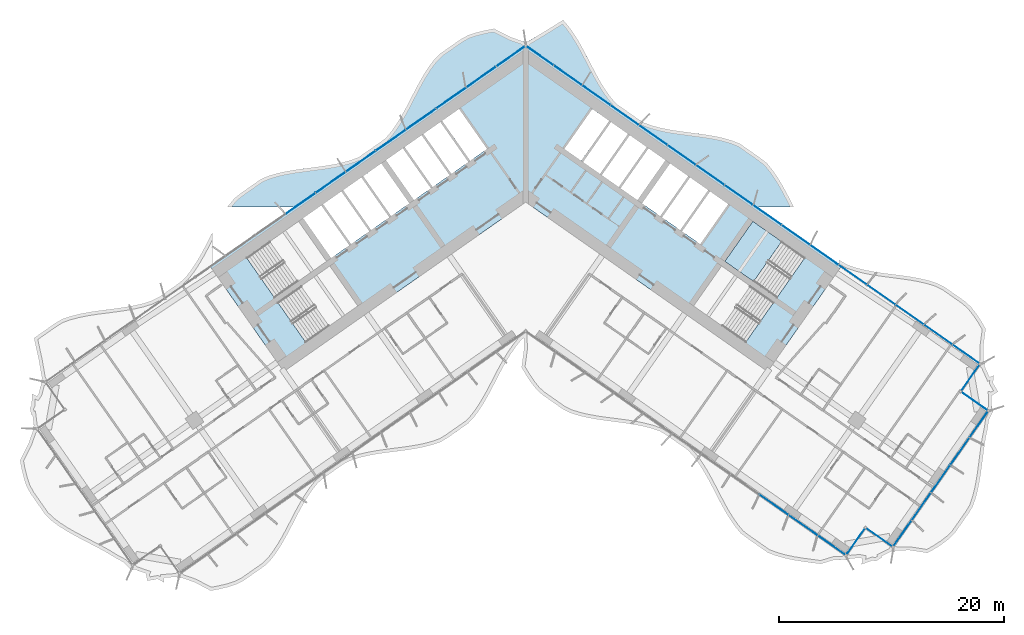
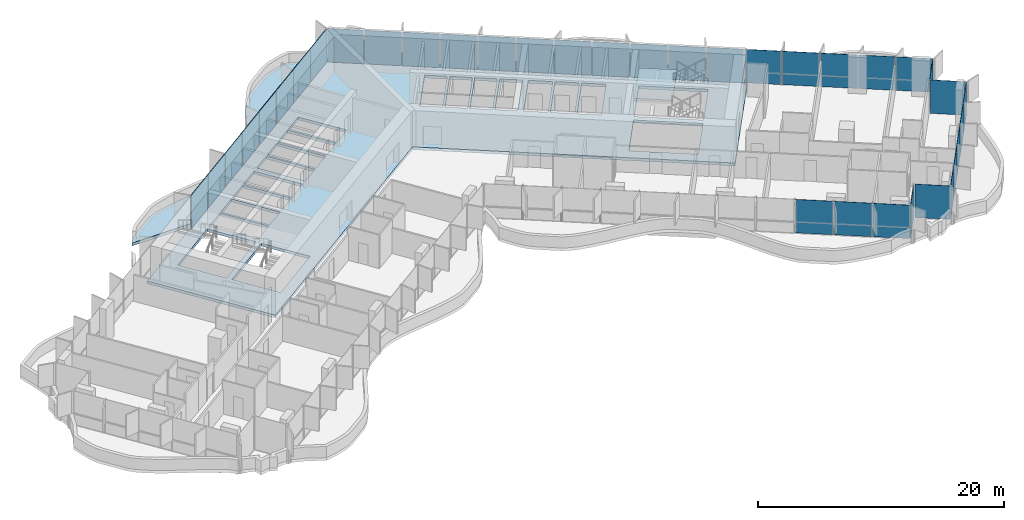
# One storey, part 11 of 23: 36 plates, 3 slabs, 3 elements without a shape of their own.
"""IFC4 building model written with IfcOpenShell, lengths in metres."""

from ifc_helpers import new_model, si_unit, direction, frame, origin, origin_2d, place, context, subcontext, project, spatial, polyline, rectangle, outline, extrude, material, layer, layer_set, type_object, element, aggregate, save


model = new_model("IFC4")

# Units and contexts
model_context = context("Model", 3, precision=1e-05, world=origin(), true_north=direction((0.0, 1.0)))
body_context = subcontext(model_context, "Body", "Model", "MODEL_VIEW")
ifc_project = project(units=[si_unit("LENGTHUNIT", "METRE"), si_unit("AREAUNIT", "SQUARE_METRE"), si_unit("VOLUMEUNIT", "CUBIC_METRE"), si_unit("PLANEANGLEUNIT", "RADIAN"), si_unit("MASSUNIT", "GRAM", prefix="KILO")], contexts=[model_context])

# Site, building, storey
site_placement = place(None, origin())
site = spatial("IfcSite", under=ifc_project, at=site_placement, CompositionType="ELEMENT")
building_placement = place(site_placement, origin())
building = spatial("IfcBuilding", under=site, at=building_placement, Name="Tel Ilan Convention Tower", CompositionType="ELEMENT")
storey_placement = place(building_placement, frame((0.0, 0.0, 79.699951171875)))
storey = spatial("IfcBuildingStorey", under=building, at=storey_placement, Name="L15", CompositionType="ELEMENT", Elevation=79.699951171875)

# Curtain wall, plates
ifc_material_1 = material(Name="Aluminium, bronze anodised", Category="aluminium")
curtain_wall_type_1 = type_object("IfcCurtainWallType", Name="CW1 UNITISED CURTAIN WALL, HOTEL TINTED GLASS", PredefinedType="NOTDEFINED", material=ifc_material_1)
curtain_wall_1_placement = place(storey_placement, origin())
curtain_wall_1 = element("IfcCurtainWall", 1, at=curtain_wall_1_placement, inside=storey, type_object=curtain_wall_type_1, Name="Curtain wall CW1-15.02", PredefinedType="NOTDEFINED")
ifc_material_2 = material(Name="Glass, bronze tinted, two-ply unitised", Category="glass")
ifc_layer_1 = layer(ifc_material_2, 0.028076171875)
ifc_layer_set_1 = layer_set([ifc_layer_1], Name="CW HOTEL GLASS PANEL 28")
plate_type_1 = type_object("IfcPlateType", Name="CW HOTEL GLASS PANEL 28", PredefinedType="CURTAIN_PANEL", material=ifc_layer_set_1)
plate_1_placement = place(storey_placement, frame((22.115478515625, -28.181396484375, 0.0), z_axis=(0.0, 0.0, 1.0), x_axis=(0.819152044289, -0.573576436351, 0.0)))
plate_1 = element("IfcPlate", 2, at=plate_1_placement, type_object=plate_type_1, Name="Glass panel", PredefinedType="CURTAIN_PANEL", context=body_context, shape_type="SweptSolid", body=[
    extrude(rectangle(XDim=3.10791015625, YDim=0.028076171875, at=origin_2d()), origin(), (0.0, 0.0, 1.0), 3.320068359375),
])
plate_2_placement = place(storey_placement, frame((24.71044921875, -29.99853515625, 0.0), z_axis=(0.0, 0.0, 1.0), x_axis=(0.819152044289, -0.573576436351, 0.0)))
plate_2 = element("IfcPlate", 3, at=plate_2_placement, type_object=plate_type_1, Name="Glass panel", PredefinedType="CURTAIN_PANEL", context=body_context, shape_type="SweptSolid", body=[
    extrude(rectangle(XDim=3.10791015625, YDim=0.028076171875, at=origin_2d()), origin(), (0.0, 0.0, 1.0), 3.320068359375),
])
plate_3_placement = place(storey_placement, frame((27.26708984375, -31.78857421875, 0.0), z_axis=(0.0, 0.0, 1.0), x_axis=(0.819152044289, -0.573576436351, 0.0)))
plate_3 = element("IfcPlate", 4, at=plate_3_placement, type_object=plate_type_1, Name="Glass panel", PredefinedType="CURTAIN_PANEL", context=body_context, shape_type="SweptSolid", body=[
    extrude(rectangle(XDim=3.013916015625, YDim=0.028076171875, at=origin_2d()), origin(), (0.0, 0.0, 1.0), 3.320068359375),
])
plate_4_placement = place(storey_placement, frame((29.359375, -31.469482421875, 0.0), z_axis=(0.0, 0.0, 1.0), x_axis=(0.573576436351, 0.819152044289, 0.0)))
plate_4 = element("IfcPlate", 5, at=plate_4_placement, type_object=plate_type_1, Name="Glass panel", PredefinedType="CURTAIN_PANEL", context=body_context, shape_type="SweptSolid", body=[
    extrude(rectangle(XDim=2.875, YDim=0.028076171875, at=origin_2d()), origin(), (0.0, 0.0, 1.0), 3.320068359375),
])
plate_5_placement = place(storey_placement, frame((31.502197265625, -31.091796875, 0.0), z_axis=(0.0, 0.0, 1.0), x_axis=(0.819152044289, -0.573576436351, 0.0)))
plate_5 = element("IfcPlate", 6, at=plate_5_placement, type_object=plate_type_1, Name="Glass panel", PredefinedType="CURTAIN_PANEL", context=body_context, shape_type="SweptSolid", body=[
    extrude(rectangle(XDim=2.875, YDim=0.028076171875, at=origin_2d()), origin(), (0.0, 0.0, 1.0), 3.320068359375),
])
plate_6_placement = place(storey_placement, frame((33.529296875, -30.74462890625, 0.0), z_axis=(0.0, 0.0, 1.0), x_axis=(0.573576436351, 0.819152044289, 0.0)))
plate_6 = element("IfcPlate", 7, at=plate_6_placement, type_object=plate_type_1, Name="Glass panel", PredefinedType="CURTAIN_PANEL", context=body_context, shape_type="SweptSolid", body=[
    extrude(rectangle(XDim=2.845947265625, YDim=0.028076171875, at=origin_2d()), origin(), (0.0, 0.0, 1.0), 3.320068359375),
])
plate_7_placement = place(storey_placement, frame((35.22314453125, -28.32568359375, 0.0), z_axis=(0.0, 0.0, 1.0), x_axis=(0.573576436351, 0.819152044289, 0.0)))
plate_7 = element("IfcPlate", 8, at=plate_7_placement, type_object=plate_type_1, Name="Glass panel", PredefinedType="CURTAIN_PANEL", context=body_context, shape_type="SweptSolid", body=[
    extrude(rectangle(XDim=2.93994140625, YDim=0.028076171875, at=origin_2d()), origin(), (0.0, 0.0, 1.0), 3.320068359375),
])
plate_8_placement = place(storey_placement, frame((36.94384765625, -25.868408203125, 0.0), z_axis=(0.0, 0.0, 1.0), x_axis=(0.573576436351, 0.819152044289, 0.0)))
plate_8 = element("IfcPlate", 9, at=plate_8_placement, type_object=plate_type_1, Name="Glass panel", PredefinedType="CURTAIN_PANEL", context=body_context, shape_type="SweptSolid", body=[
    extrude(rectangle(XDim=2.93994140625, YDim=0.028076171875, at=origin_2d()), origin(), (0.0, 0.0, 1.0), 3.320068359375),
])
plate_9_placement = place(storey_placement, frame((38.66455078125, -23.410888671875, 0.0), z_axis=(0.0, 0.0, 1.0), x_axis=(0.573576436351, 0.819152044289, 0.0)))
plate_9 = element("IfcPlate", 10, at=plate_9_placement, type_object=plate_type_1, Name="Glass panel", PredefinedType="CURTAIN_PANEL", context=body_context, shape_type="SweptSolid", body=[
    extrude(rectangle(XDim=2.93994140625, YDim=0.028076171875, at=origin_2d()), origin(), (0.0, 0.0, 1.0), 3.320068359375),
])
plate_10_placement = place(storey_placement, frame((40.358154296875, -20.991943359375, 0.0), z_axis=(0.0, 0.0, 1.0), x_axis=(0.573576436351, 0.819152044289, 0.0)))
plate_10 = element("IfcPlate", 11, at=plate_10_placement, type_object=plate_type_1, Name="Glass panel", PredefinedType="CURTAIN_PANEL", context=body_context, shape_type="SweptSolid", body=[
    extrude(rectangle(XDim=2.845947265625, YDim=0.028076171875, at=origin_2d()), origin(), (0.0, 0.0, 1.0), 3.320068359375),
])
plate_11_placement = place(storey_placement, frame((39.990966796875, -18.96826171875, 0.0), z_axis=(0.0, 0.0, 1.0), x_axis=(-0.819152044289, 0.573576436351, 0.0)))
plate_11 = element("IfcPlate", 12, at=plate_11_placement, type_object=plate_type_1, Name="Glass panel", PredefinedType="CURTAIN_PANEL", context=body_context, shape_type="SweptSolid", body=[
    extrude(rectangle(XDim=2.875, YDim=0.028076171875, at=origin_2d()), origin(), (0.0, 0.0, 1.0), 3.320068359375),
])
plate_12_placement = place(storey_placement, frame((39.61328125, -16.82568359375, 0.0), z_axis=(0.0, 0.0, 1.0), x_axis=(0.573576436351, 0.819152044289, 0.0)))
plate_12 = element("IfcPlate", 13, at=plate_12_placement, type_object=plate_type_1, Name="Glass panel", PredefinedType="CURTAIN_PANEL", context=body_context, shape_type="SweptSolid", body=[
    extrude(rectangle(XDim=2.875, YDim=0.028076171875, at=origin_2d()), origin(), (0.0, 0.0, 1.0), 3.320068359375),
])
plate_13_placement = place(storey_placement, frame((39.2265625, -14.7705078125, 0.0), z_axis=(0.0, 0.0, 1.0), x_axis=(-0.819152044289, 0.573576436351, 0.0)))
plate_13 = element("IfcPlate", 14, at=plate_13_placement, type_object=plate_type_1, Name="Glass panel", PredefinedType="CURTAIN_PANEL", context=body_context, shape_type="SweptSolid", body=[
    extrude(rectangle(XDim=2.943115234375, YDim=0.028076171875, at=origin_2d()), origin(), (0.0, 0.0, 1.0), 3.320068359375),
])
plate_14_placement = place(storey_placement, frame((36.72802734375, -13.021240234375, 0.0), z_axis=(0.0, 0.0, 1.0), x_axis=(-0.819152044289, 0.573576436351, 0.0)))
plate_14 = element("IfcPlate", 15, at=plate_14_placement, type_object=plate_type_1, Name="Glass panel", PredefinedType="CURTAIN_PANEL", context=body_context, shape_type="SweptSolid", body=[
    extrude(rectangle(XDim=3.037109375, YDim=0.028076171875, at=origin_2d()), origin(), (0.0, 0.0, 1.0), 3.320068359375),
])
plate_15_placement = place(storey_placement, frame((34.191162109375, -11.244873046875, 0.0), z_axis=(0.0, 0.0, 1.0), x_axis=(-0.819152044289, 0.573576436351, 0.0)))
plate_15 = element("IfcPlate", 16, at=plate_15_placement, type_object=plate_type_1, Name="Glass panel", PredefinedType="CURTAIN_PANEL", context=body_context, shape_type="SweptSolid", body=[
    extrude(rectangle(XDim=3.037109375, YDim=0.028076171875, at=origin_2d()), origin(), (0.0, 0.0, 1.0), 3.320068359375),
])
plate_16_placement = place(storey_placement, frame((31.654296875, -9.468505859375, 0.0), z_axis=(0.0, 0.0, 1.0), x_axis=(-0.819152044289, 0.573576436351, 0.0)))
plate_16 = element("IfcPlate", 17, at=plate_16_placement, type_object=plate_type_1, Name="Glass panel", PredefinedType="CURTAIN_PANEL", context=body_context, shape_type="SweptSolid", body=[
    extrude(rectangle(XDim=3.037109375, YDim=0.028076171875, at=origin_2d()), origin(), (0.0, 0.0, 1.0), 3.320068359375),
])
plate_17_placement = place(storey_placement, frame((29.1171875, -7.692138671875, 0.0), z_axis=(0.0, 0.0, 1.0), x_axis=(-0.819152044289, 0.573576436351, 0.0)))
plate_17 = element("IfcPlate", 18, at=plate_17_placement, type_object=plate_type_1, Name="Glass panel", PredefinedType="CURTAIN_PANEL", context=body_context, shape_type="SweptSolid", body=[
    extrude(rectangle(XDim=3.037109375, YDim=0.028076171875, at=origin_2d()), origin(), (0.0, 0.0, 1.0), 3.320068359375),
])
aggregate(curtain_wall_1, [plate_1, plate_2, plate_3, plate_4, plate_5, plate_6, plate_7, plate_8, plate_9, plate_10, plate_11, plate_12, plate_13, plate_14, plate_15, plate_16, plate_17])

ifc_material_3 = material(Name="Aluminium, bronze anodised", Category="aluminium")
curtain_wall_type_2 = type_object("IfcCurtainWallType", Name="CW2 STICK CURTAIN WALL, SPANDREL PANELS", PredefinedType="NOTDEFINED", material=ifc_material_3)
curtain_wall_2_placement = place(storey_placement, origin())
curtain_wall_2 = element("IfcCurtainWall", 19, at=curtain_wall_2_placement, inside=storey, type_object=curtain_wall_type_2, Name="Curtain wall CW2-15.01", PredefinedType="NOTDEFINED")
ifc_material_4 = material(Name="Aluminium composite panel, bronze anodised", Category="aluminium")
ifc_layer_2 = layer(ifc_material_4, 0.06005859375)
ifc_layer_set_2 = layer_set([ifc_layer_2], Name="CW SPANDREL PANEL 60")
plate_type_2 = type_object("IfcPlateType", Name="CW SPANDREL PANEL 60", PredefinedType="CURTAIN_PANEL", material=ifc_layer_set_2)
plate_18_placement = place(storey_placement, frame((26.580322265625, -5.915771484375, 0.0), z_axis=(0.0, 0.0, 1.0), x_axis=(-0.819152044289, 0.573576436351, 0.0)))
plate_18 = element("IfcPlate", 20, at=plate_18_placement, type_object=plate_type_2, Name="Spandrel panel", PredefinedType="CURTAIN_PANEL", context=body_context, shape_type="SweptSolid", body=[
    extrude(rectangle(XDim=3.037109375, YDim=0.06005859375, at=origin_2d()), origin(), (0.0, 0.0, 1.0), 3.320068359375),
])
plate_19_placement = place(storey_placement, frame((24.04345703125, -4.139404296875, 0.0), z_axis=(0.0, 0.0, 1.0), x_axis=(-0.819152044289, 0.573576436351, 0.0)))
plate_19 = element("IfcPlate", 21, at=plate_19_placement, type_object=plate_type_2, Name="Spandrel panel", PredefinedType="CURTAIN_PANEL", context=body_context, shape_type="SweptSolid", body=[
    extrude(rectangle(XDim=3.037109375, YDim=0.06005859375, at=origin_2d()), origin(), (0.0, 0.0, 1.0), 3.320068359375),
])
plate_20_placement = place(storey_placement, frame((21.506591796875, -2.363037109375, 0.0), z_axis=(0.0, 0.0, 1.0), x_axis=(-0.819152044289, 0.573576436351, 0.0)))
plate_20 = element("IfcPlate", 22, at=plate_20_placement, type_object=plate_type_2, Name="Spandrel panel", PredefinedType="CURTAIN_PANEL", context=body_context, shape_type="SweptSolid", body=[
    extrude(rectangle(XDim=3.037109375, YDim=0.06005859375, at=origin_2d()), origin(), (0.0, 0.0, 1.0), 3.320068359375),
])
plate_21_placement = place(storey_placement, frame((18.969482421875, -0.586669921875, 0.0), z_axis=(0.0, 0.0, 1.0), x_axis=(-0.819152044289, 0.573576436351, 0.0)))
plate_21 = element("IfcPlate", 23, at=plate_21_placement, type_object=plate_type_2, Name="Spandrel panel", PredefinedType="CURTAIN_PANEL", context=body_context, shape_type="SweptSolid", body=[
    extrude(rectangle(XDim=3.037109375, YDim=0.06005859375, at=origin_2d()), origin(), (0.0, 0.0, 1.0), 3.320068359375),
])
plate_22_placement = place(storey_placement, frame((16.4326171875, 1.189697265625, 0.0), z_axis=(0.0, 0.0, 1.0), x_axis=(-0.819152044289, 0.573576436351, 0.0)))
plate_22 = element("IfcPlate", 24, at=plate_22_placement, type_object=plate_type_2, Name="Spandrel panel", PredefinedType="CURTAIN_PANEL", context=body_context, shape_type="SweptSolid", body=[
    extrude(rectangle(XDim=3.037109375, YDim=0.06005859375, at=origin_2d()), origin(), (0.0, 0.0, 1.0), 3.320068359375),
])
plate_23_placement = place(storey_placement, frame((13.895751953125, 2.966064453125, 0.0), z_axis=(0.0, 0.0, 1.0), x_axis=(-0.819152044289, 0.573576436351, 0.0)))
plate_23 = element("IfcPlate", 25, at=plate_23_placement, type_object=plate_type_2, Name="Spandrel panel", PredefinedType="CURTAIN_PANEL", context=body_context, shape_type="SweptSolid", body=[
    extrude(rectangle(XDim=3.037109375, YDim=0.06005859375, at=origin_2d()), origin(), (0.0, 0.0, 1.0), 3.320068359375),
])
plate_24_placement = place(storey_placement, frame((11.35888671875, 4.742431640625, 0.0), z_axis=(0.0, 0.0, 1.0), x_axis=(-0.819152044289, 0.573576436351, 0.0)))
plate_24 = element("IfcPlate", 26, at=plate_24_placement, type_object=plate_type_2, Name="Spandrel panel", PredefinedType="CURTAIN_PANEL", context=body_context, shape_type="SweptSolid", body=[
    extrude(rectangle(XDim=3.037109375, YDim=0.06005859375, at=origin_2d()), origin(), (0.0, 0.0, 1.0), 3.320068359375),
])
plate_25_placement = place(storey_placement, frame((8.82177734375, 6.518798828125, 0.0), z_axis=(0.0, 0.0, 1.0), x_axis=(-0.819152044289, 0.573576436351, 0.0)))
plate_25 = element("IfcPlate", 27, at=plate_25_placement, type_object=plate_type_2, Name="Spandrel panel", PredefinedType="CURTAIN_PANEL", context=body_context, shape_type="SweptSolid", body=[
    extrude(rectangle(XDim=3.037109375, YDim=0.06005859375, at=origin_2d()), origin(), (0.0, 0.0, 1.0), 3.320068359375),
])
plate_26_placement = place(storey_placement, frame((6.284912109375, 8.295166015625, 0.0), z_axis=(0.0, 0.0, 1.0), x_axis=(-0.819152044289, 0.573576436351, 0.0)))
plate_26 = element("IfcPlate", 28, at=plate_26_placement, type_object=plate_type_2, Name="Spandrel panel", PredefinedType="CURTAIN_PANEL", context=body_context, shape_type="SweptSolid", body=[
    extrude(rectangle(XDim=3.037109375, YDim=0.06005859375, at=origin_2d()), origin(), (0.0, 0.0, 1.0), 3.320068359375),
])
plate_27_placement = place(storey_placement, frame((3.748046875, 10.07177734375, 0.0), z_axis=(0.0, 0.0, 1.0), x_axis=(-0.819152044289, 0.573576436351, 0.0)))
plate_27 = element("IfcPlate", 29, at=plate_27_placement, type_object=plate_type_2, Name="Spandrel panel", PredefinedType="CURTAIN_PANEL", context=body_context, shape_type="SweptSolid", body=[
    extrude(rectangle(XDim=3.037109375, YDim=0.06005859375, at=origin_2d()), origin(), (0.0, 0.0, 1.0), 3.320068359375),
])
plate_28_placement = place(storey_placement, frame((1.256103515625, 11.81640625, 0.0), z_axis=(0.0, 0.0, 1.0), x_axis=(-0.819152044289, 0.573576436351, 0.0)))
plate_28 = element("IfcPlate", 30, at=plate_28_placement, type_object=plate_type_2, Name="Spandrel panel", PredefinedType="CURTAIN_PANEL", context=body_context, shape_type="SweptSolid", body=[
    extrude(rectangle(XDim=2.927001953125, YDim=0.06005859375, at=origin_2d()), origin(), (0.0, 0.0, 1.0), 3.320068359375),
])
plate_29_placement = place(storey_placement, frame((-1.327880859375, 11.766357421875, 0.0), z_axis=(0.0, 0.0, 1.0), x_axis=(-0.819152044289, -0.573576436351, 0.0)))
plate_29 = element("IfcPlate", 31, at=plate_29_placement, type_object=plate_type_2, Name="Spandrel panel", PredefinedType="CURTAIN_PANEL", context=body_context, shape_type="SweptSolid", body=[
    extrude(rectangle(XDim=3.10205078125, YDim=0.06005859375, at=origin_2d()), origin(), (0.0, 0.0, 1.0), 3.320068359375),
])
plate_30_placement = place(storey_placement, frame((-3.963134765625, 9.921142578125, 0.0), z_axis=(0.0, 0.0, 1.0), x_axis=(-0.819152044289, -0.573576436351, 0.0)))
plate_30 = element("IfcPlate", 32, at=plate_30_placement, type_object=plate_type_2, Name="Spandrel panel", PredefinedType="CURTAIN_PANEL", context=body_context, shape_type="SweptSolid", body=[
    extrude(rectangle(XDim=3.2119140625, YDim=0.06005859375, at=origin_2d()), origin(), (0.0, 0.0, 1.0), 3.320068359375),
])
plate_31_placement = place(storey_placement, frame((-6.643310546875, 8.04443359375, 0.0), z_axis=(0.0, 0.0, 1.0), x_axis=(-0.819152044289, -0.573576436351, 0.0)))
plate_31 = element("IfcPlate", 33, at=plate_31_placement, type_object=plate_type_2, Name="Spandrel panel", PredefinedType="CURTAIN_PANEL", context=body_context, shape_type="SweptSolid", body=[
    extrude(rectangle(XDim=3.2119140625, YDim=0.06005859375, at=origin_2d()), origin(), (0.0, 0.0, 1.0), 3.320068359375),
])
plate_32_placement = place(storey_placement, frame((-9.323486328125, 6.16748046875, 0.0), z_axis=(0.0, 0.0, 1.0), x_axis=(-0.819152044289, -0.573576436351, 0.0)))
plate_32 = element("IfcPlate", 34, at=plate_32_placement, type_object=plate_type_2, Name="Spandrel panel", PredefinedType="CURTAIN_PANEL", context=body_context, shape_type="SweptSolid", body=[
    extrude(rectangle(XDim=3.2119140625, YDim=0.06005859375, at=origin_2d()), origin(), (0.0, 0.0, 1.0), 3.320068359375),
])
plate_33_placement = place(storey_placement, frame((-12.00390625, 4.290771484375, 0.0), z_axis=(0.0, 0.0, 1.0), x_axis=(-0.819152044289, -0.573576436351, 0.0)))
plate_33 = element("IfcPlate", 35, at=plate_33_placement, type_object=plate_type_2, Name="Spandrel panel", PredefinedType="CURTAIN_PANEL", context=body_context, shape_type="SweptSolid", body=[
    extrude(rectangle(XDim=3.2119140625, YDim=0.06005859375, at=origin_2d()), origin(), (0.0, 0.0, 1.0), 3.320068359375),
])
plate_34_placement = place(storey_placement, frame((-14.68408203125, 2.4140625, 0.0), z_axis=(0.0, 0.0, 1.0), x_axis=(-0.819152044289, -0.573576436351, 0.0)))
plate_34 = element("IfcPlate", 36, at=plate_34_placement, type_object=plate_type_2, Name="Spandrel panel", PredefinedType="CURTAIN_PANEL", context=body_context, shape_type="SweptSolid", body=[
    extrude(rectangle(XDim=3.2119140625, YDim=0.06005859375, at=origin_2d()), origin(), (0.0, 0.0, 1.0), 3.320068359375),
])
plate_35_placement = place(storey_placement, frame((-17.364501953125, 0.537353515625, 0.0), z_axis=(0.0, 0.0, 1.0), x_axis=(-0.819152044289, -0.573576436351, 0.0)))
plate_35 = element("IfcPlate", 37, at=plate_35_placement, type_object=plate_type_2, Name="Spandrel panel", PredefinedType="CURTAIN_PANEL", context=body_context, shape_type="SweptSolid", body=[
    extrude(rectangle(XDim=3.2119140625, YDim=0.06005859375, at=origin_2d()), origin(), (0.0, 0.0, 1.0), 3.320068359375),
])
plate_36_placement = place(storey_placement, frame((-20.044677734375, -1.33935546875, 0.0), z_axis=(0.0, 0.0, 1.0), x_axis=(-0.819152044289, -0.573576436351, 0.0)))
plate_36 = element("IfcPlate", 38, at=plate_36_placement, type_object=plate_type_2, Name="Spandrel panel", PredefinedType="CURTAIN_PANEL", context=body_context, shape_type="SweptSolid", body=[
    extrude(rectangle(XDim=3.2119140625, YDim=0.06005859375, at=origin_2d()), origin(), (0.0, 0.0, 1.0), 3.320068359375),
])
aggregate(curtain_wall_2, [plate_18, plate_19, plate_20, plate_21, plate_22, plate_23, plate_24, plate_25, plate_26, plate_27, plate_28, plate_29, plate_30, plate_31, plate_32, plate_33, plate_34, plate_35, plate_36])

# Stair, slab
ifc_material_5 = material(Name="Concrete C40/50", Category="concrete")
stair_type = type_object("IfcStairType", Name="Pressurised Exit Stair 20 risers 180 mm", PredefinedType="HALF_TURN_STAIR", material=ifc_material_5)
stair_placement = place(storey_placement, origin())
stair = element("IfcStair", 39, at=stair_placement, inside=storey, type_object=stair_type, Name="L15 Pressurised Stair S3", PredefinedType="HALF_TURN_STAIR")
ifc_material_6 = material(Name="Concrete C40/50", Category="concrete")
ifc_layer_3 = layer(ifc_material_6, 0.199951171875)
ifc_layer_set_3 = layer_set([ifc_layer_3], Name="Concrete Stair Landing 200 mm C40/50")
slab_type_1 = type_object("IfcSlabType", Name="Concrete Stair Landing 200 mm", PredefinedType="LANDING", material=ifc_layer_set_3)
slab_1_placement = place(storey_placement, frame((0.0, 0.0, 1.60009765625)))
slab_1 = element("IfcSlab", 40, at=slab_1_placement, type_object=slab_type_1, Name="S3 landing 1", PredefinedType="LANDING", context=body_context, shape_type="SweptSolid", body=[
    extrude(outline(polyline([(22.791015625, -4.727294921875), (20.226318359375, -2.931640625), (17.7314453125, -6.494873046875), (20.2958984375, -8.29052734375), (22.791015625, -4.727294921875)])), origin(), (0.0, 0.0, 1.0), 0.199951171875),
])
aggregate(stair, [slab_1])

# Slabs
ifc_material_7 = material(Name="Concrete C40/50", Category="concrete")
ifc_layer_4 = layer(ifc_material_7, 0.280029296875)
ifc_layer_set_4 = layer_set([ifc_layer_4], Name="Core Floor Slab 280 mm C40/50")
slab_type_2 = type_object("IfcSlabType", Name="Core Floor Slab 280 mm C40/50", PredefinedType="FLOOR", material=ifc_layer_set_4)
slab_2_placement = place(storey_placement, frame((0.0, 0.0, -0.280029296875)))
element("IfcSlab", 41, at=slab_2_placement, inside=storey, type_object=slab_type_2, Name="L15 core floor 1", PredefinedType="FLOOR", context=body_context, shape_type="SweptSolid", body=[
    extrude(outline(polyline([(-28.1396484375, -6.885498046875), (0.0, 12.818115234375), (28.1396484375, -6.885498046875), (21.54345703125, -16.3056640625), (0.0, -1.220703125), (-21.54345703125, -16.3056640625), (-28.1396484375, -6.885498046875)]), holes=[polyline([(-14.949462890625, -10.4677734375), (-17.444580078125, -6.904541015625), (-22.072021484375, -10.144775390625), (-19.5771484375, -13.7080078125), (-14.949462890625, -10.4677734375)]), polyline([(-17.7314453125, -6.494873046875), (-20.226318359375, -2.931640625), (-24.85400390625, -6.171875), (-22.35888671875, -9.735107421875), (-17.7314453125, -6.494873046875)]), polyline([(-18.198974609375, -1.511962890625), (-19.81689453125, -2.644775390625), (-17.32177734375, -6.2080078125), (-15.7041015625, -5.0751953125), (-18.198974609375, -1.511962890625)]), polyline([(-16.41748046875, -0.264404296875), (-18.03515625, -1.397216796875), (-15.5400390625, -4.960693359375), (-13.92236328125, -3.827880859375), (-16.41748046875, -0.264404296875)]), polyline([(-14.6357421875, 0.983154296875), (-16.25341796875, -0.149658203125), (-13.758544921875, -3.712890625), (-12.140625, -2.580078125), (-14.6357421875, 0.983154296875)]), polyline([(-12.85400390625, 2.230712890625), (-14.471923828125, 1.097900390625), (-11.976806640625, -2.465576171875), (-10.35888671875, -1.332763671875), (-12.85400390625, 2.230712890625)]), polyline([(-10.939208984375, 3.5712890625), (-12.444580078125, 2.517333984375), (-9.949462890625, -1.0458984375), (-8.444091796875, 0.008056640625), (-10.939208984375, 3.5712890625)]), polyline([(-6.775146484375, 1.1767578125), (-9.270263671875, 4.739990234375), (-10.775390625, 3.68603515625), (-8.280517578125, 0.122802734375), (-6.775146484375, 1.1767578125)]), polyline([(-5.106201171875, 2.345458984375), (-7.601318359375, 5.90869140625), (-9.1064453125, 4.854736328125), (-6.611328125, 1.29150390625), (-5.106201171875, 2.345458984375)]), polyline([(-5.93212890625, 7.077392578125), (-7.4375, 6.0234375), (-4.9423828125, 2.460205078125), (-3.437255859375, 3.513916015625), (-5.93212890625, 7.077392578125)]), polyline([(17.444580078125, -6.904541015625), (14.949462890625, -10.4677734375), (19.5771484375, -13.7080078125), (22.072021484375, -10.144775390625), (17.444580078125, -6.904541015625)]), polyline([(20.226318359375, -2.931640625), (17.7314453125, -6.494873046875), (22.35888671875, -9.735107421875), (24.85400390625, -6.171875), (20.226318359375, -2.931640625)]), polyline([(13.92236328125, -3.827880859375), (15.5400390625, -4.960693359375), (18.03515625, -1.397216796875), (16.41748046875, -0.264404296875), (13.92236328125, -3.827880859375)]), polyline([(12.140625, -2.580078125), (13.758544921875, -3.712890625), (16.25341796875, -0.149658203125), (14.6357421875, 0.983154296875), (12.140625, -2.580078125)]), polyline([(11.976806640625, -2.465576171875), (14.471923828125, 1.097900390625), (12.85400390625, 2.230712890625), (10.35888671875, -1.332763671875), (11.976806640625, -2.465576171875)]), polyline([(9.949462890625, -1.0458984375), (12.444580078125, 2.517333984375), (10.939208984375, 3.5712890625), (8.444091796875, 0.008056640625), (9.949462890625, -1.0458984375)]), polyline([(8.280517578125, 0.122802734375), (10.775390625, 3.68603515625), (9.270263671875, 4.739990234375), (6.775146484375, 1.1767578125), (8.280517578125, 0.122802734375)]), polyline([(5.106201171875, 2.345458984375), (6.611328125, 1.29150390625), (9.1064453125, 4.854736328125), (7.601318359375, 5.90869140625), (5.106201171875, 2.345458984375)]), polyline([(3.437255859375, 3.513916015625), (4.9423828125, 2.460205078125), (7.4375, 6.0234375), (5.93212890625, 7.077392578125), (3.437255859375, 3.513916015625)])]), origin(), (0.0, 0.0, 1.0), 0.280029296875),
])
ifc_material_8 = material(Name="Concrete C40/50", Category="concrete")
ifc_layer_5 = layer(ifc_material_8, 0.280029296875)
ifc_layer_set_5 = layer_set([ifc_layer_5], Name="Edge Ledge Slab 280 mm C40/50")
slab_type_3 = type_object("IfcSlabType", Name="Edge Ledge Slab 280 mm C40/50", PredefinedType="FLOOR", material=ifc_layer_set_5)
slab_3_placement = place(storey_placement, frame((0.0, 0.0, -0.280029296875)))
element("IfcSlab", 42, at=slab_3_placement, inside=storey, type_object=slab_type_3, Name="L15 edge ledge 2", PredefinedType="FLOOR", context=body_context, shape_type="SweptSolid", body=[
    extrude(outline(polyline([(-23.564453125, 0.8349609375), (-22.857421875, 1.129150390625), (-22.099365234375, 1.350341796875), (-21.307861328125, 1.52392578125), (-20.490966796875, 1.661376953125), (-19.658203125, 1.77587890625), (-18.8193359375, 1.881591796875), (-17.98486328125, 1.993896484375), (-17.16455078125, 2.12646484375), (-16.368408203125, 2.29296875), (-15.60400390625, 2.50537109375), (-14.87890625, 2.773681640625), (-14.2626953125, 3.197509765625), (-13.037353515625, 4.055419921875), (-12.43994140625, 4.506103515625), (-11.945068359375, 5.103271484375), (-11.48828125, 5.755126953125), (-11.06298828125, 6.451416015625), (-10.66015625, 7.179931640625), (-10.2705078125, 7.927490234375), (-9.8837890625, 8.67919921875), (-9.489990234375, 9.42041015625), (-9.078857421875, 10.13720703125), (-8.641357421875, 10.81640625), (-8.169677734375, 11.446533203125), (-7.635986328125, 11.98828125), (-5.798095703125, 13.275146484375), (-5.14013671875, 13.639404296875), (-4.39794921875, 13.88330078125), (-3.619384765625, 14.075439453125), (-2.81201171875, 14.226318359375), (-1.382080078125, 13.48828125), (-0.172119140625, 13.06396484375), (-0.168701171875, 13.05908203125), (-0.11474609375, 13.09521484375), (0.0, 13.1181640625), (0.11474609375, 13.09521484375), (0.168701171875, 13.05908203125), (0.172119140625, 13.06396484375), (1.732666015625, 14.003173828125), (3.331787109375, 14.997802734375), (3.8291015625, 14.418212890625), (4.28662109375, 13.7822265625), (4.71240234375, 13.100830078125), (5.1142578125, 12.385498046875), (5.50146484375, 11.64892578125), (5.883544921875, 10.9052734375), (6.2705078125, 10.168701171875), (6.672119140625, 9.452880859375), (7.09765625, 8.770751953125), (7.5546875, 8.134033203125), (8.050048828125, 7.55224609375), (8.65380859375, 7.125), (9.865478515625, 6.276611328125), (10.483642578125, 5.8701171875), (11.20458984375, 5.610107421875), (11.963134765625, 5.404052734375), (12.75244140625, 5.241943359375), (13.564697265625, 5.1123046875), (14.390380859375, 5.002197265625), (15.2197265625, 4.8974609375), (16.043212890625, 4.78369140625), (16.8505859375, 4.647705078125), (17.63330078125, 4.47607421875), (18.38330078125, 4.2578125), (19.08544921875, 3.97119140625), (20.903076171875, 2.698486328125), (21.484130859375, 2.239013671875), (21.9697265625, 1.643310546875), (22.418701171875, 0.99462890625), (22.83740234375, 0.3037109375), (23.23486328125, -0.41845703125), (23.619873046875, -1.158203125), (23.86328125, -1.631591796875), (20.63623046875, -1.631591796875), (0.0, 12.818115234375), (-20.63623046875, -1.631591796875), (-26.5380859375, -1.631591796875), (-26.470947265625, -1.533447265625), (-25.98291015625, -0.9267578125), (-25.40234375, -0.451904296875), (-23.564453125, 0.8349609375)])), origin(), (0.0, 0.0, 1.0), 0.280029296875),
])

save(model, "model.ifc")
